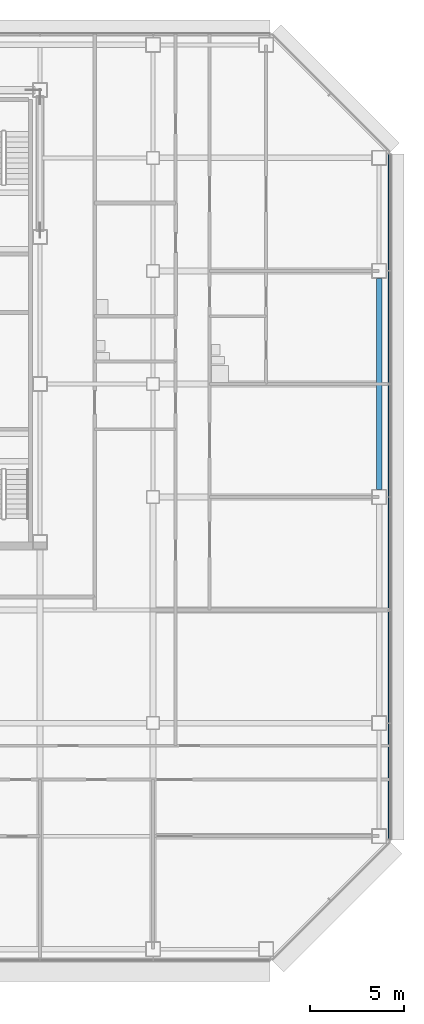
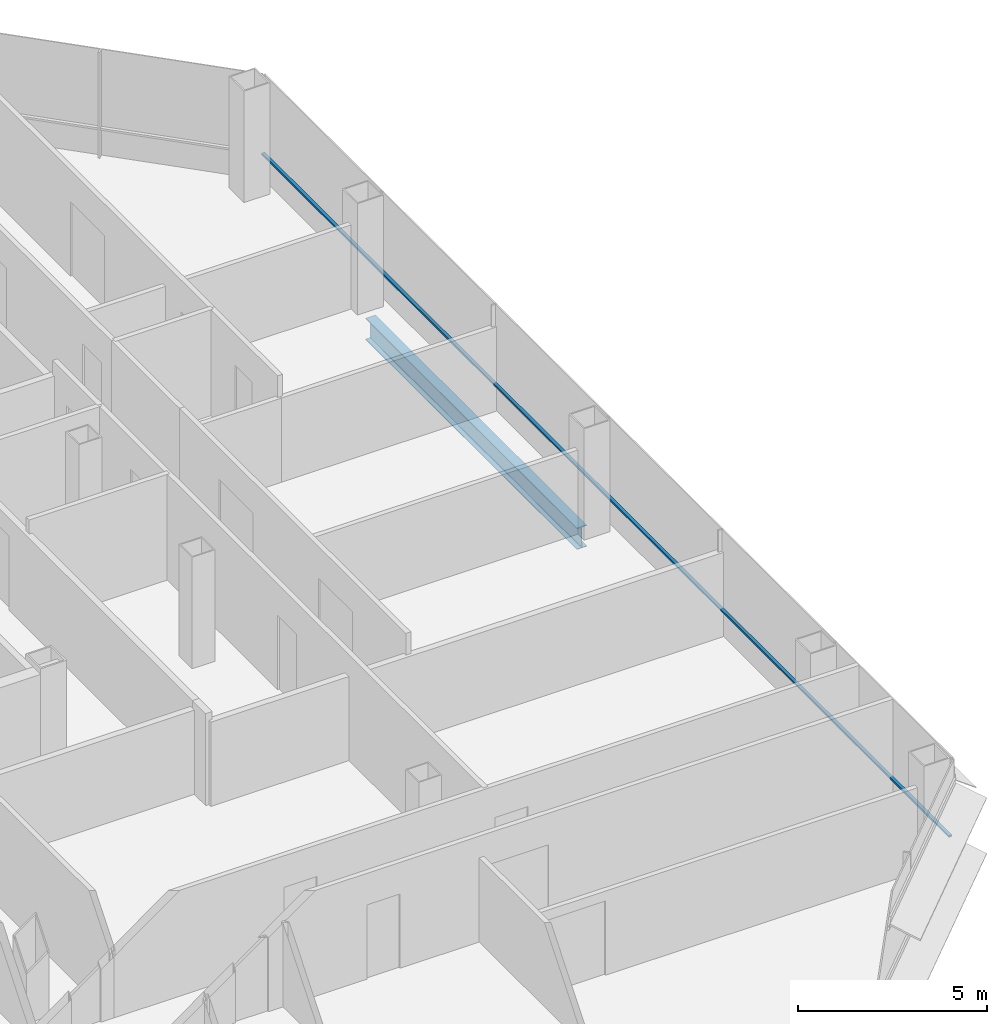
# One storey, part 16 of 25: 1 beam, 1 member, 1 element without a shape of its own.
"""IFC4 building model written with IfcOpenShell, lengths in metres."""

from ifc_helpers import new_model, si_unit, direction, frame, origin, origin_2d, place, context, subcontext, project, spatial, rectangle, i_section, extrude, material, material_profile, profile_set, type_object, element, aggregate, save


model = new_model("IFC4")

# Units and contexts
model_context = context("Model", 3, precision=1e-05, world=origin(), true_north=direction((0.0, 1.0)))
body_context = subcontext(model_context, "Body", "Model", "MODEL_VIEW")
ifc_project = project(units=[si_unit("LENGTHUNIT", "METRE"), si_unit("AREAUNIT", "SQUARE_METRE"), si_unit("VOLUMEUNIT", "CUBIC_METRE"), si_unit("PLANEANGLEUNIT", "RADIAN"), si_unit("MASSUNIT", "GRAM", prefix="KILO")], contexts=[model_context])

# Site, building, storey
site_placement = place(None, origin())
site = spatial("IfcSite", under=ifc_project, at=site_placement, CompositionType="ELEMENT")
building_placement = place(site_placement, origin())
building = spatial("IfcBuilding", under=site, at=building_placement, Name="Sorahane Residences", CompositionType="ELEMENT")
storey_placement = place(building_placement, frame((0.0, 0.0, 123.199951171875)))
storey = spatial("IfcBuildingStorey", under=building, at=storey_placement, Name="L27", CompositionType="ELEMENT", Elevation=123.199951171875)

# Curtain wall, member
ifc_material_1 = material(Name="Dark low-e glass and black anodised aluminium", Category="aluminium")
curtain_wall_type = type_object("IfcCurtainWallType", Name="Curtain wall CW-1 Typical unitised wall", PredefinedType="NOTDEFINED", material=ifc_material_1)
curtain_wall_placement = place(storey_placement, origin())
curtain_wall = element("IfcCurtainWall", 1, at=curtain_wall_placement, inside=storey, type_object=curtain_wall_type, Name="CW-1 curtain wall L27 E1", PredefinedType="NOTDEFINED")
ifc_material_2 = material(Name="Black anodised aluminium", Category="aluminium")
ifc_material_profile_1 = material_profile(ifc_material_2, rectangle(XDim=0.10009765625, YDim=0.06005859375, at=origin_2d()), Name="Curtain wall transom CW-1 black anodised aluminium 60x100")
ifc_profile_set_1 = profile_set([ifc_material_profile_1], Name="Black anodised aluminium")
member_type = type_object("IfcMemberType", Name="Curtain wall transom CW-1 black anodised aluminium 60x100", PredefinedType="USERDEFINED", material=ifc_profile_set_1)
member_placement = place(storey_placement, frame((60.530029296875, 5.801513671875, 0.900146484375), z_axis=(0.0, 1.0, 0.0), x_axis=(-1.0, 0.0, 0.0)))
member = element("IfcMember", 2, at=member_placement, type_object=member_type, Name="CW-1 transom L27 E1", ObjectType="TRANSOM", PredefinedType="USERDEFINED", context=body_context, shape_type="SweptSolid", body=[
    extrude(rectangle(XDim=0.10009765625, YDim=0.06005859375, at=origin_2d()), origin(), (0.0, 0.0, 1.0), 36.39697265625),
])
aggregate(curtain_wall, [member])

# Beam
ifc_material_3 = material(Name="Steel Q355B", Category="steel")
ifc_material_profile_2 = material_profile(ifc_material_3, i_section(OverallWidth=0.300048828125, OverallDepth=0.699951171875, WebThickness=0.012939453125, FlangeThickness=0.02392578125, FilletRadius=0.028076171875, at=origin_2d()), Name="HN 700x300x13x24")
ifc_profile_set_2 = profile_set([ifc_material_profile_2], Name="Steel Q355B")
beam_type = type_object("IfcBeamType", Name="Steel floor beam HN 700x300x13x24 Q355B", PredefinedType="BEAM", material=ifc_profile_set_2)
beam_placement = place(storey_placement, frame((60.0, 24.39990234375, -0.530029296875), z_axis=(0.0, 1.0, 0.0), x_axis=(-1.0, 0.0, 0.0)))
element("IfcBeam", 3, at=beam_placement, inside=storey, type_object=beam_type, Name="Beam L27 066", PredefinedType="BEAM", context=body_context, shape_type="SweptSolid", body=[
    extrude(i_section(OverallWidth=0.300048828125, OverallDepth=0.699951171875, WebThickness=0.012939453125, FlangeThickness=0.02392578125, FilletRadius=0.028076171875, at=origin_2d()), origin(), (0.0, 0.0, 1.0), 11.2001953125),
])

save(model, "model.ifc")
